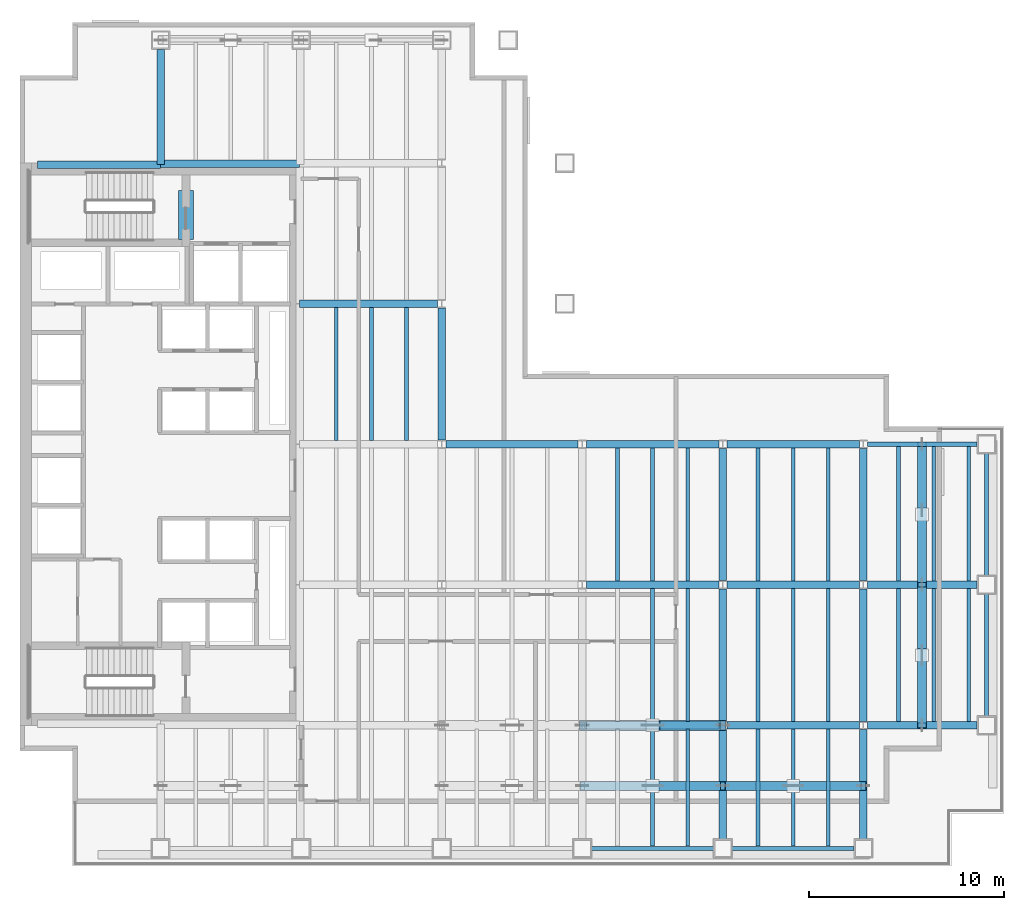
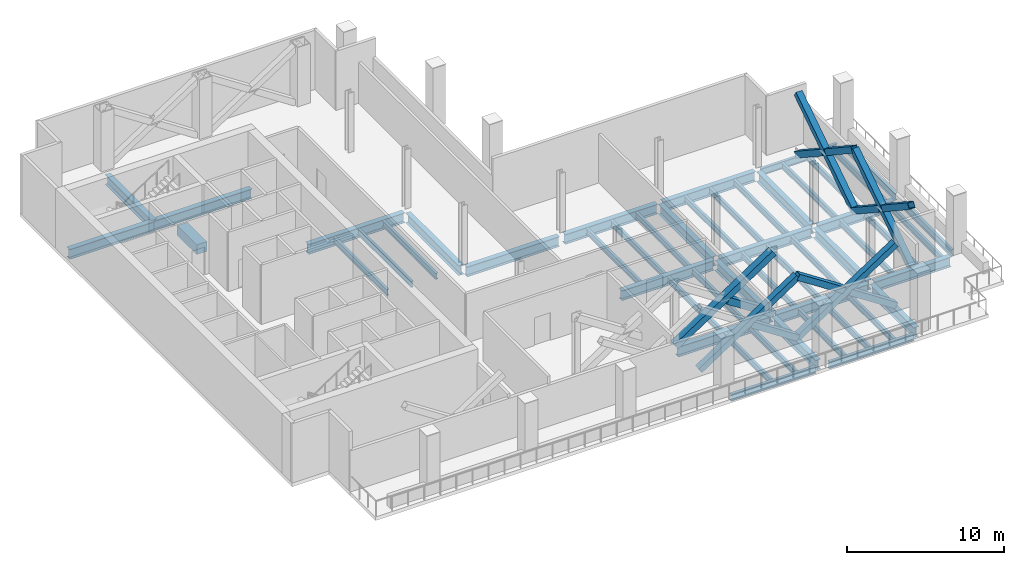
# One storey, part 2 of 9: 51 beams, 13 members.
"""IFC4 building model written with IfcOpenShell, lengths in metres."""

from ifc_helpers import new_model, si_unit, direction, frame, origin, origin_2d, place, context, subcontext, project, spatial, rectangle, hollow_rectangle, i_section, extrude, material, material_profile, profile_set, type_object, element, save


model = new_model("IFC4")

# Units and contexts
model_context = context("Model", 3, precision=1e-05, world=origin(), true_north=direction((0.0, 1.0)))
body_context = subcontext(model_context, "Body", "Model", "MODEL_VIEW")
ifc_project = project(units=[si_unit("LENGTHUNIT", "METRE"), si_unit("AREAUNIT", "SQUARE_METRE"), si_unit("VOLUMEUNIT", "CUBIC_METRE"), si_unit("PLANEANGLEUNIT", "RADIAN"), si_unit("MASSUNIT", "GRAM", prefix="KILO")], contexts=[model_context])

# Site, building, storey
site_placement = place(None, origin())
site = spatial("IfcSite", under=ifc_project, at=site_placement, CompositionType="ELEMENT")
building_placement = place(site_placement, origin())
building = spatial("IfcBuilding", under=site, at=building_placement, Name="Cobrela Telecom Tower", CompositionType="ELEMENT")
storey_placement = place(building_placement, frame((0.0, 0.0, 92.75)))
storey = spatial("IfcBuildingStorey", under=building, at=storey_placement, Name="L23", CompositionType="ELEMENT", Elevation=92.75)

# Beams
ifc_material_1 = material(Name="Concrete C40/50", Category="concrete")
ifc_material_profile_1 = material_profile(ifc_material_1, rectangle(XDim=0.75, YDim=0.75, at=origin_2d()), Name="RC 750x750")
ifc_profile_set_1 = profile_set([ifc_material_profile_1], Name="Concrete C40/50")
beam_type_1 = type_object("IfcBeamType", Name="BM-COUP-RC", PredefinedType="LINTEL", material=ifc_profile_set_1)
beam_1_placement = place(storey_placement, frame((8.5, 32.10009765625, -0.6298828125), z_axis=(0.0, 1.0, 0.0), x_axis=(-1.0, 0.0, 0.0)))
element("IfcBeam", 1, at=beam_1_placement, inside=storey, type_object=beam_type_1, Name="L23 Core Coupling Lintel Beam", PredefinedType="LINTEL", context=body_context, shape_type="SweptSolid", body=[
    extrude(rectangle(XDim=0.75, YDim=0.75, at=origin_2d()), origin(), (0.0, 0.0, 1.0), 2.5),
])
ifc_material_2 = material(Name="Steel ASTM A992 Grade 50", Category="steel")
ifc_material_profile_2 = material_profile(ifc_material_2, i_section(OverallWidth=0.381103515625, OverallDepth=0.77197265625, WebThickness=0.0166015625, FlangeThickness=0.027099609375, FilletRadius=0.01904296875, at=origin_2d()), Name="W30X173")
ifc_profile_set_2 = profile_set([ifc_material_profile_2], Name="Steel ASTM A992 Grade 50")
beam_type_2 = type_object("IfcBeamType", Name="BM-GIRD-04", PredefinedType="USERDEFINED", material=ifc_profile_set_2)
for number, where, z_axis, x_axis, name in (
    (2, (29.009521484375, 7.199951171875, -0.666015625), (1.0, 0.0, 0.0), (0.0, 1.0, 0.0), "L23 Primary Girder X10"),
    (3, (36.20947265625, 7.199951171875, -0.666015625), (1.0, 0.0, 0.0), (0.0, 1.0, 0.0), "L23 Primary Girder X11"),
):
    element("IfcBeam", number, at=place(storey_placement, frame(where, z_axis=z_axis, x_axis=x_axis)), inside=storey, type_object=beam_type_2, Name=name, ObjectType="GIRDER", PredefinedType="USERDEFINED", context=body_context, shape_type="SweptSolid", body=[
        extrude(i_section(OverallWidth=0.381103515625, OverallDepth=0.77197265625, WebThickness=0.0166015625, FlangeThickness=0.027099609375, FilletRadius=0.01904296875, at=origin_2d()), origin(), (0.0, 0.0, 1.0), 6.781005859375),
    ])
beam_2_placement = place(storey_placement, frame((43.409423828125, 7.199951171875, -0.666015625), z_axis=(1.0, 0.0, 0.0), x_axis=(0.0, 1.0, 0.0)))
element("IfcBeam", 4, at=beam_2_placement, inside=storey, type_object=beam_type_2, Name="L23 Primary Girder X12", ObjectType="GIRDER", PredefinedType="USERDEFINED", context=body_context, shape_type="SweptSolid", body=[
    extrude(i_section(OverallWidth=0.381103515625, OverallDepth=0.77197265625, WebThickness=0.0166015625, FlangeThickness=0.027099609375, FilletRadius=0.01904296875, at=origin_2d()), origin(), (0.0, 0.0, 1.0), 5.610595703125),
])
for number, where, z_axis, x_axis, name in (
    (5, (29.009521484375, 14.39990234375, -0.666015625), (1.0, 0.0, 0.0), (0.0, 1.0, 0.0), "L23 Primary Girder X15"),
    (6, (36.20947265625, 14.39990234375, -0.666015625), (1.0, 0.0, 0.0), (0.0, 1.0, 0.0), "L23 Primary Girder X16"),
):
    element("IfcBeam", number, at=place(storey_placement, frame(where, z_axis=z_axis, x_axis=x_axis)), inside=storey, type_object=beam_type_2, Name=name, ObjectType="GIRDER", PredefinedType="USERDEFINED", context=body_context, shape_type="SweptSolid", body=[
        extrude(i_section(OverallWidth=0.381103515625, OverallDepth=0.77197265625, WebThickness=0.0166015625, FlangeThickness=0.027099609375, FilletRadius=0.01904296875, at=origin_2d()), origin(), (0.0, 0.0, 1.0), 6.781005859375),
    ])
beam_3_placement = place(storey_placement, frame((43.409423828125, 14.39990234375, -0.666015625), z_axis=(1.0, 0.0, 0.0), x_axis=(0.0, 1.0, 0.0)))
element("IfcBeam", 7, at=beam_3_placement, inside=storey, type_object=beam_type_2, Name="L23 Primary Girder X17", ObjectType="GIRDER", PredefinedType="USERDEFINED", context=body_context, shape_type="SweptSolid", body=[
    extrude(i_section(OverallWidth=0.381103515625, OverallDepth=0.77197265625, WebThickness=0.0166015625, FlangeThickness=0.027099609375, FilletRadius=0.01904296875, at=origin_2d()), origin(), (0.0, 0.0, 1.0), 5.610595703125),
])
for number, where, z_axis, x_axis, name in (
    (8, (21.8095703125, 21.60009765625, -0.666015625), (1.0, 0.0, 0.0), (0.0, 1.0, 0.0), "L23 Primary Girder X19"),
    (9, (29.009521484375, 21.60009765625, -0.666015625), (1.0, 0.0, 0.0), (0.0, 1.0, 0.0), "L23 Primary Girder X20"),
    (10, (36.20947265625, 21.60009765625, -0.666015625), (1.0, 0.0, 0.0), (0.0, 1.0, 0.0), "L23 Primary Girder X21"),
):
    element("IfcBeam", number, at=place(storey_placement, frame(where, z_axis=z_axis, x_axis=x_axis)), inside=storey, type_object=beam_type_2, Name=name, ObjectType="GIRDER", PredefinedType="USERDEFINED", context=body_context, shape_type="SweptSolid", body=[
        extrude(i_section(OverallWidth=0.381103515625, OverallDepth=0.77197265625, WebThickness=0.0166015625, FlangeThickness=0.027099609375, FilletRadius=0.01904296875, at=origin_2d()), origin(), (0.0, 0.0, 1.0), 6.781005859375),
    ])
beam_4_placement = place(storey_placement, frame((14.324951171875, 28.800048828125, -0.666015625), z_axis=(1.0, 0.0, 0.0), x_axis=(0.0, 1.0, 0.0)))
element("IfcBeam", 11, at=beam_4_placement, inside=storey, type_object=beam_type_2, Name="L23 Primary Girder X23", ObjectType="GIRDER", PredefinedType="USERDEFINED", context=body_context, shape_type="SweptSolid", body=[
    extrude(i_section(OverallWidth=0.381103515625, OverallDepth=0.77197265625, WebThickness=0.0166015625, FlangeThickness=0.027099609375, FilletRadius=0.01904296875, at=origin_2d()), origin(), (0.0, 0.0, 1.0), 7.0654296875),
])
beam_5_placement = place(storey_placement, frame((0.905029296875, 35.919921875, -0.666015625), z_axis=(1.0, 0.0, 0.0), x_axis=(0.0, 1.0, 0.0)))
element("IfcBeam", 12, at=beam_5_placement, inside=storey, type_object=beam_type_2, Name="L23 Primary Girder X24", ObjectType="GIRDER", PredefinedType="USERDEFINED", context=body_context, shape_type="SweptSolid", body=[
    extrude(i_section(OverallWidth=0.381103515625, OverallDepth=0.77197265625, WebThickness=0.0166015625, FlangeThickness=0.027099609375, FilletRadius=0.01904296875, at=origin_2d()), origin(), (0.0, 0.0, 1.0), 6.2900390625),
])
beam_6_placement = place(storey_placement, frame((7.205078125, 35.9599609375, -0.666015625), z_axis=(1.0, 0.0, 0.0), x_axis=(0.0, 1.0, 0.0)))
element("IfcBeam", 13, at=beam_6_placement, inside=storey, type_object=beam_type_2, Name="L23 Primary Girder X25", ObjectType="GIRDER", PredefinedType="USERDEFINED", context=body_context, shape_type="SweptSolid", body=[
    extrude(i_section(OverallWidth=0.381103515625, OverallDepth=0.77197265625, WebThickness=0.0166015625, FlangeThickness=0.027099609375, FilletRadius=0.01904296875, at=origin_2d()), origin(), (0.0, 0.0, 1.0), 7.10986328125),
])
beam_7_placement = place(storey_placement, frame((7.199951171875, 35.925048828125, -0.666015625), z_axis=(0.0, 1.0, 0.0), x_axis=(-1.0, 0.0, 0.0)))
element("IfcBeam", 14, at=beam_7_placement, inside=storey, type_object=beam_type_2, Name="L23 Primary Girder Y30", ObjectType="GIRDER", PredefinedType="USERDEFINED", context=body_context, shape_type="SweptSolid", body=[
    extrude(i_section(OverallWidth=0.381103515625, OverallDepth=0.77197265625, WebThickness=0.0166015625, FlangeThickness=0.027099609375, FilletRadius=0.01904296875, at=origin_2d()), origin(), (0.0, 0.0, 1.0), 5.89501953125),
])
beam_8_placement = place(storey_placement, frame((21.60009765625, 21.8095703125, -0.666015625), z_axis=(0.0, 1.0, 0.0), x_axis=(-1.0, 0.0, 0.0)))
element("IfcBeam", 15, at=beam_8_placement, inside=storey, type_object=beam_type_2, Name="L23 Primary Girder Y40", ObjectType="GIRDER", PredefinedType="USERDEFINED", context=body_context, shape_type="SweptSolid", body=[
    extrude(i_section(OverallWidth=0.381103515625, OverallDepth=0.77197265625, WebThickness=0.0166015625, FlangeThickness=0.027099609375, FilletRadius=0.01904296875, at=origin_2d()), origin(), (0.0, 0.0, 1.0), 6.781005859375),
])
beam_9_placement = place(storey_placement, frame((36.0, 1.3798828125, -0.666015625), z_axis=(0.0, 1.0, 0.0), x_axis=(-1.0, 0.0, 0.0)))
element("IfcBeam", 16, at=beam_9_placement, inside=storey, type_object=beam_type_2, Name="L23 Primary Girder Y46", ObjectType="GIRDER", PredefinedType="USERDEFINED", context=body_context, shape_type="SweptSolid", body=[
    extrude(i_section(OverallWidth=0.381103515625, OverallDepth=0.77197265625, WebThickness=0.0166015625, FlangeThickness=0.027099609375, FilletRadius=0.01904296875, at=origin_2d()), origin(), (0.0, 0.0, 1.0), 5.610595703125),
])
beam_10_placement = place(storey_placement, frame((36.0, 7.409423828125, -0.666015625), z_axis=(0.0, 1.0, 0.0), x_axis=(-1.0, 0.0, 0.0)))
element("IfcBeam", 17, at=beam_10_placement, inside=storey, type_object=beam_type_2, Name="L23 Primary Girder Y47", ObjectType="GIRDER", PredefinedType="USERDEFINED", context=body_context, shape_type="SweptSolid", body=[
    extrude(i_section(OverallWidth=0.381103515625, OverallDepth=0.77197265625, WebThickness=0.0166015625, FlangeThickness=0.027099609375, FilletRadius=0.01904296875, at=origin_2d()), origin(), (0.0, 0.0, 1.0), 6.781005859375),
])
beam_11_placement = place(storey_placement, frame((36.0, 14.609619140625, -0.666015625), z_axis=(0.0, 1.0, 0.0), x_axis=(-1.0, 0.0, 0.0)))
element("IfcBeam", 18, at=beam_11_placement, inside=storey, type_object=beam_type_2, Name="L23 Primary Girder Y48", ObjectType="GIRDER", PredefinedType="USERDEFINED", context=body_context, shape_type="SweptSolid", body=[
    extrude(i_section(OverallWidth=0.381103515625, OverallDepth=0.77197265625, WebThickness=0.0166015625, FlangeThickness=0.027099609375, FilletRadius=0.01904296875, at=origin_2d()), origin(), (0.0, 0.0, 1.0), 6.78076171875),
])
beam_12_placement = place(storey_placement, frame((43.199951171875, 1.3798828125, -0.666015625), z_axis=(0.0, 1.0, 0.0), x_axis=(-1.0, 0.0, 0.0)))
element("IfcBeam", 19, at=beam_12_placement, inside=storey, type_object=beam_type_2, Name="L23 Primary Girder Y49", ObjectType="GIRDER", PredefinedType="USERDEFINED", context=body_context, shape_type="SweptSolid", body=[
    extrude(i_section(OverallWidth=0.381103515625, OverallDepth=0.77197265625, WebThickness=0.0166015625, FlangeThickness=0.027099609375, FilletRadius=0.01904296875, at=origin_2d()), origin(), (0.0, 0.0, 1.0), 5.610595703125),
])
beam_13_placement = place(storey_placement, frame((43.199951171875, 7.409423828125, -0.666015625), z_axis=(0.0, 1.0, 0.0), x_axis=(-1.0, 0.0, 0.0)))
element("IfcBeam", 20, at=beam_13_placement, inside=storey, type_object=beam_type_2, Name="L23 Primary Girder Y50", ObjectType="GIRDER", PredefinedType="USERDEFINED", context=body_context, shape_type="SweptSolid", body=[
    extrude(i_section(OverallWidth=0.381103515625, OverallDepth=0.77197265625, WebThickness=0.0166015625, FlangeThickness=0.027099609375, FilletRadius=0.01904296875, at=origin_2d()), origin(), (0.0, 0.0, 1.0), 6.781005859375),
])
beam_14_placement = place(storey_placement, frame((43.199951171875, 14.609619140625, -0.666015625), z_axis=(0.0, 1.0, 0.0), x_axis=(-1.0, 0.0, 0.0)))
element("IfcBeam", 21, at=beam_14_placement, inside=storey, type_object=beam_type_2, Name="L23 Primary Girder Y51", ObjectType="GIRDER", PredefinedType="USERDEFINED", context=body_context, shape_type="SweptSolid", body=[
    extrude(i_section(OverallWidth=0.381103515625, OverallDepth=0.77197265625, WebThickness=0.0166015625, FlangeThickness=0.027099609375, FilletRadius=0.01904296875, at=origin_2d()), origin(), (0.0, 0.0, 1.0), 6.78076171875),
])
ifc_material_profile_3 = material_profile(ifc_material_2, i_section(OverallWidth=0.193115234375, OverallDepth=0.467041015625, WebThickness=0.011474609375, FlangeThickness=0.01904296875, FilletRadius=0.012939453125, at=origin_2d()), Name="W18X65")
ifc_profile_set_3 = profile_set([ifc_material_profile_3], Name="Steel ASTM A992 Grade 50")
beam_type_3 = type_object("IfcBeamType", Name="BM-JOIST-03", PredefinedType="JOIST", material=ifc_profile_set_3)
for number, where, z_axis, x_axis, name in (
    (22, (16.199951171875, 21.79541015625, -0.513427734375), (0.0, 1.0, 0.0), (-1.0, 0.0, 0.0), "L23 Secondary Composite Floor Beam J10"),
    (23, (18.0, 21.79541015625, -0.513427734375), (0.0, 1.0, 0.0), (-1.0, 0.0, 0.0), "L23 Secondary Composite Floor Beam J16"),
    (24, (19.800048828125, 21.79541015625, -0.513427734375), (0.0, 1.0, 0.0), (-1.0, 0.0, 0.0), "L23 Secondary Composite Floor Beam J22"),
    (25, (30.60009765625, 14.595458984375, -0.513427734375), (0.0, 1.0, 0.0), (-1.0, 0.0, 0.0), "L23 Secondary Composite Floor Beam J36"),
):
    element("IfcBeam", number, at=place(storey_placement, frame(where, z_axis=z_axis, x_axis=x_axis)), inside=storey, type_object=beam_type_3, Name=name, PredefinedType="JOIST", context=body_context, shape_type="SweptSolid", body=[
        extrude(i_section(OverallWidth=0.193115234375, OverallDepth=0.467041015625, WebThickness=0.011474609375, FlangeThickness=0.01904296875, FilletRadius=0.012939453125, at=origin_2d()), origin(), (0.0, 0.0, 1.0), 6.80908203125),
    ])
beam_15_placement = place(storey_placement, frame((32.39990234375, 1.011474609375, -0.513427734375), z_axis=(0.0, 1.0, 0.0), x_axis=(-1.0, 0.0, 0.0)))
element("IfcBeam", 26, at=beam_15_placement, inside=storey, type_object=beam_type_3, Name="L23 Secondary Composite Floor Beam J37", PredefinedType="JOIST", context=body_context, shape_type="SweptSolid", body=[
    extrude(i_section(OverallWidth=0.193115234375, OverallDepth=0.467041015625, WebThickness=0.011474609375, FlangeThickness=0.01904296875, FilletRadius=0.012939453125, at=origin_2d()), origin(), (0.0, 0.0, 1.0), 5.992919921875),
])
for number, where, z_axis, x_axis, name in (
    (27, (32.39990234375, 7.3955078125, -0.513427734375), (0.0, 1.0, 0.0), (-1.0, 0.0, 0.0), "L23 Secondary Composite Floor Beam J38"),
    (28, (32.39990234375, 14.595458984375, -0.513427734375), (0.0, 1.0, 0.0), (-1.0, 0.0, 0.0), "L23 Secondary Composite Floor Beam J39"),
):
    element("IfcBeam", number, at=place(storey_placement, frame(where, z_axis=z_axis, x_axis=x_axis)), inside=storey, type_object=beam_type_3, Name=name, PredefinedType="JOIST", context=body_context, shape_type="SweptSolid", body=[
        extrude(i_section(OverallWidth=0.193115234375, OverallDepth=0.467041015625, WebThickness=0.011474609375, FlangeThickness=0.01904296875, FilletRadius=0.012939453125, at=origin_2d()), origin(), (0.0, 0.0, 1.0), 6.80908203125),
    ])
beam_16_placement = place(storey_placement, frame((34.199951171875, 1.011474609375, -0.513427734375), z_axis=(0.0, 1.0, 0.0), x_axis=(-1.0, 0.0, 0.0)))
element("IfcBeam", 29, at=beam_16_placement, inside=storey, type_object=beam_type_3, Name="L23 Secondary Composite Floor Beam J40", PredefinedType="JOIST", context=body_context, shape_type="SweptSolid", body=[
    extrude(i_section(OverallWidth=0.193115234375, OverallDepth=0.467041015625, WebThickness=0.011474609375, FlangeThickness=0.01904296875, FilletRadius=0.012939453125, at=origin_2d()), origin(), (0.0, 0.0, 1.0), 5.992919921875),
])
for number, where, z_axis, x_axis, name in (
    (30, (34.199951171875, 7.3955078125, -0.513427734375), (0.0, 1.0, 0.0), (-1.0, 0.0, 0.0), "L23 Secondary Composite Floor Beam J41"),
    (31, (34.199951171875, 14.595458984375, -0.513427734375), (0.0, 1.0, 0.0), (-1.0, 0.0, 0.0), "L23 Secondary Composite Floor Beam J42"),
):
    element("IfcBeam", number, at=place(storey_placement, frame(where, z_axis=z_axis, x_axis=x_axis)), inside=storey, type_object=beam_type_3, Name=name, PredefinedType="JOIST", context=body_context, shape_type="SweptSolid", body=[
        extrude(i_section(OverallWidth=0.193115234375, OverallDepth=0.467041015625, WebThickness=0.011474609375, FlangeThickness=0.01904296875, FilletRadius=0.012939453125, at=origin_2d()), origin(), (0.0, 0.0, 1.0), 6.80908203125),
    ])
beam_17_placement = place(storey_placement, frame((37.800048828125, 1.011474609375, -0.513427734375), z_axis=(0.0, 1.0, 0.0), x_axis=(-1.0, 0.0, 0.0)))
element("IfcBeam", 32, at=beam_17_placement, inside=storey, type_object=beam_type_3, Name="L23 Secondary Composite Floor Beam J43", PredefinedType="JOIST", context=body_context, shape_type="SweptSolid", body=[
    extrude(i_section(OverallWidth=0.193115234375, OverallDepth=0.467041015625, WebThickness=0.011474609375, FlangeThickness=0.01904296875, FilletRadius=0.012939453125, at=origin_2d()), origin(), (0.0, 0.0, 1.0), 5.992919921875),
])
for number, where, z_axis, x_axis, name in (
    (33, (37.800048828125, 7.3955078125, -0.513427734375), (0.0, 1.0, 0.0), (-1.0, 0.0, 0.0), "L23 Secondary Composite Floor Beam J44"),
    (34, (37.800048828125, 14.595458984375, -0.513427734375), (0.0, 1.0, 0.0), (-1.0, 0.0, 0.0), "L23 Secondary Composite Floor Beam J45"),
):
    element("IfcBeam", number, at=place(storey_placement, frame(where, z_axis=z_axis, x_axis=x_axis)), inside=storey, type_object=beam_type_3, Name=name, PredefinedType="JOIST", context=body_context, shape_type="SweptSolid", body=[
        extrude(i_section(OverallWidth=0.193115234375, OverallDepth=0.467041015625, WebThickness=0.011474609375, FlangeThickness=0.01904296875, FilletRadius=0.012939453125, at=origin_2d()), origin(), (0.0, 0.0, 1.0), 6.80908203125),
    ])
beam_18_placement = place(storey_placement, frame((39.60009765625, 1.011474609375, -0.513427734375), z_axis=(0.0, 1.0, 0.0), x_axis=(-1.0, 0.0, 0.0)))
element("IfcBeam", 35, at=beam_18_placement, inside=storey, type_object=beam_type_3, Name="L23 Secondary Composite Floor Beam J46", PredefinedType="JOIST", context=body_context, shape_type="SweptSolid", body=[
    extrude(i_section(OverallWidth=0.193115234375, OverallDepth=0.467041015625, WebThickness=0.011474609375, FlangeThickness=0.01904296875, FilletRadius=0.012939453125, at=origin_2d()), origin(), (0.0, 0.0, 1.0), 5.992919921875),
])
for number, where, z_axis, x_axis, name in (
    (36, (39.60009765625, 7.3955078125, -0.513427734375), (0.0, 1.0, 0.0), (-1.0, 0.0, 0.0), "L23 Secondary Composite Floor Beam J47"),
    (37, (39.60009765625, 14.595458984375, -0.513427734375), (0.0, 1.0, 0.0), (-1.0, 0.0, 0.0), "L23 Secondary Composite Floor Beam J48"),
):
    element("IfcBeam", number, at=place(storey_placement, frame(where, z_axis=z_axis, x_axis=x_axis)), inside=storey, type_object=beam_type_3, Name=name, PredefinedType="JOIST", context=body_context, shape_type="SweptSolid", body=[
        extrude(i_section(OverallWidth=0.193115234375, OverallDepth=0.467041015625, WebThickness=0.011474609375, FlangeThickness=0.01904296875, FilletRadius=0.012939453125, at=origin_2d()), origin(), (0.0, 0.0, 1.0), 6.80908203125),
    ])
beam_19_placement = place(storey_placement, frame((41.39990234375, 1.011474609375, -0.513427734375), z_axis=(0.0, 1.0, 0.0), x_axis=(-1.0, 0.0, 0.0)))
element("IfcBeam", 38, at=beam_19_placement, inside=storey, type_object=beam_type_3, Name="L23 Secondary Composite Floor Beam J49", PredefinedType="JOIST", context=body_context, shape_type="SweptSolid", body=[
    extrude(i_section(OverallWidth=0.193115234375, OverallDepth=0.467041015625, WebThickness=0.011474609375, FlangeThickness=0.01904296875, FilletRadius=0.012939453125, at=origin_2d()), origin(), (0.0, 0.0, 1.0), 5.992919921875),
])
for number, where, z_axis, x_axis, name in (
    (39, (41.39990234375, 7.3955078125, -0.513427734375), (0.0, 1.0, 0.0), (-1.0, 0.0, 0.0), "L23 Secondary Composite Floor Beam J50"),
    (40, (41.39990234375, 14.595458984375, -0.513427734375), (0.0, 1.0, 0.0), (-1.0, 0.0, 0.0), "L23 Secondary Composite Floor Beam J51"),
    (41, (45.0, 7.3955078125, -0.513427734375), (0.0, 1.0, 0.0), (-1.0, 0.0, 0.0), "L23 Secondary Composite Floor Beam J52"),
):
    element("IfcBeam", number, at=place(storey_placement, frame(where, z_axis=z_axis, x_axis=x_axis)), inside=storey, type_object=beam_type_3, Name=name, PredefinedType="JOIST", context=body_context, shape_type="SweptSolid", body=[
        extrude(i_section(OverallWidth=0.193115234375, OverallDepth=0.467041015625, WebThickness=0.011474609375, FlangeThickness=0.01904296875, FilletRadius=0.012939453125, at=origin_2d()), origin(), (0.0, 0.0, 1.0), 6.80908203125),
    ])
beam_20_placement = place(storey_placement, frame((45.0, 14.595458984375, -0.513427734375), z_axis=(0.0, 1.0, 0.0), x_axis=(-1.0, 0.0, 0.0)))
element("IfcBeam", 42, at=beam_20_placement, inside=storey, type_object=beam_type_3, Name="L23 Secondary Composite Floor Beam J53", PredefinedType="JOIST", context=body_context, shape_type="SweptSolid", body=[
    extrude(i_section(OverallWidth=0.193115234375, OverallDepth=0.467041015625, WebThickness=0.011474609375, FlangeThickness=0.01904296875, FilletRadius=0.012939453125, at=origin_2d()), origin(), (0.0, 0.0, 1.0), 6.89306640625),
])
beam_21_placement = place(storey_placement, frame((46.800048828125, 7.3955078125, -0.513427734375), z_axis=(0.0, 1.0, 0.0), x_axis=(-1.0, 0.0, 0.0)))
element("IfcBeam", 43, at=beam_21_placement, inside=storey, type_object=beam_type_3, Name="L23 Secondary Composite Floor Beam J54", PredefinedType="JOIST", context=body_context, shape_type="SweptSolid", body=[
    extrude(i_section(OverallWidth=0.193115234375, OverallDepth=0.467041015625, WebThickness=0.011474609375, FlangeThickness=0.01904296875, FilletRadius=0.012939453125, at=origin_2d()), origin(), (0.0, 0.0, 1.0), 6.80908203125),
])
beam_22_placement = place(storey_placement, frame((46.800048828125, 14.595458984375, -0.513427734375), z_axis=(0.0, 1.0, 0.0), x_axis=(-1.0, 0.0, 0.0)))
element("IfcBeam", 44, at=beam_22_placement, inside=storey, type_object=beam_type_3, Name="L23 Secondary Composite Floor Beam J55", PredefinedType="JOIST", context=body_context, shape_type="SweptSolid", body=[
    extrude(i_section(OverallWidth=0.193115234375, OverallDepth=0.467041015625, WebThickness=0.011474609375, FlangeThickness=0.01904296875, FilletRadius=0.012939453125, at=origin_2d()), origin(), (0.0, 0.0, 1.0), 6.89306640625),
])
beam_23_placement = place(storey_placement, frame((48.60009765625, 7.3955078125, -0.513427734375), z_axis=(0.0, 1.0, 0.0), x_axis=(-1.0, 0.0, 0.0)))
element("IfcBeam", 45, at=beam_23_placement, inside=storey, type_object=beam_type_3, Name="L23 Secondary Composite Floor Beam J56", PredefinedType="JOIST", context=body_context, shape_type="SweptSolid", body=[
    extrude(i_section(OverallWidth=0.193115234375, OverallDepth=0.467041015625, WebThickness=0.011474609375, FlangeThickness=0.01904296875, FilletRadius=0.012939453125, at=origin_2d()), origin(), (0.0, 0.0, 1.0), 6.80908203125),
])
beam_24_placement = place(storey_placement, frame((48.60009765625, 14.595458984375, -0.513427734375), z_axis=(0.0, 1.0, 0.0), x_axis=(-1.0, 0.0, 0.0)))
element("IfcBeam", 46, at=beam_24_placement, inside=storey, type_object=beam_type_3, Name="L23 Secondary Composite Floor Beam J57", PredefinedType="JOIST", context=body_context, shape_type="SweptSolid", body=[
    extrude(i_section(OverallWidth=0.193115234375, OverallDepth=0.467041015625, WebThickness=0.011474609375, FlangeThickness=0.01904296875, FilletRadius=0.012939453125, at=origin_2d()), origin(), (0.0, 0.0, 1.0), 6.89306640625),
])
ifc_material_profile_4 = material_profile(ifc_material_2, i_section(OverallWidth=0.212890625, OverallDepth=0.549072265625, WebThickness=0.0146484375, FlangeThickness=0.023681640625, FilletRadius=0.013916015625, at=origin_2d()), Name="W21X93")
ifc_profile_set_4 = profile_set([ifc_material_profile_4], Name="Steel ASTM A992 Grade 50")
beam_type_4 = type_object("IfcBeamType", Name="BM-SPAND-03", PredefinedType="SPANDREL", material=ifc_profile_set_4)
for number, where, z_axis, x_axis, name in (
    (47, (29.280029296875, 0.89990234375, -0.554443359375), (1.0, 0.0, 0.0), (0.0, 1.0, 0.0), "L23 Perimeter Spandrel X04"),
    (48, (36.47998046875, 0.89990234375, -0.554443359375), (1.0, 0.0, 0.0), (0.0, 1.0, 0.0), "L23 Perimeter Spandrel X05"),
):
    element("IfcBeam", number, at=place(storey_placement, frame(where, z_axis=z_axis, x_axis=x_axis)), inside=storey, type_object=beam_type_4, Name=name, PredefinedType="SPANDREL", context=body_context, shape_type="SweptSolid", body=[
        extrude(i_section(OverallWidth=0.212890625, OverallDepth=0.549072265625, WebThickness=0.0146484375, FlangeThickness=0.023681640625, FilletRadius=0.013916015625, at=origin_2d()), origin(), (0.0, 0.0, 1.0), 6.239990234375),
    ])
beam_25_placement = place(storey_placement, frame((43.409423828125, 21.60009765625, -0.554443359375), z_axis=(1.0, 0.0, 0.0), x_axis=(0.0, 1.0, 0.0)))
element("IfcBeam", 49, at=beam_25_placement, inside=storey, type_object=beam_type_4, Name="L23 Perimeter Spandrel X22", PredefinedType="SPANDREL", context=body_context, shape_type="SweptSolid", body=[
    extrude(i_section(OverallWidth=0.212890625, OverallDepth=0.549072265625, WebThickness=0.0146484375, FlangeThickness=0.023681640625, FilletRadius=0.013916015625, at=origin_2d()), origin(), (0.0, 0.0, 1.0), 5.610595703125),
])
beam_26_placement = place(storey_placement, frame((49.5, 7.679931640625, -0.554443359375), z_axis=(0.0, 1.0, 0.0), x_axis=(-1.0, 0.0, 0.0)))
element("IfcBeam", 50, at=beam_26_placement, inside=storey, type_object=beam_type_4, Name="L23 Perimeter Spandrel Y52", PredefinedType="SPANDREL", context=body_context, shape_type="SweptSolid", body=[
    extrude(i_section(OverallWidth=0.212890625, OverallDepth=0.549072265625, WebThickness=0.0146484375, FlangeThickness=0.023681640625, FilletRadius=0.013916015625, at=origin_2d()), origin(), (0.0, 0.0, 1.0), 6.239990234375),
])
beam_27_placement = place(storey_placement, frame((49.5, 14.8798828125, -0.554443359375), z_axis=(0.0, 1.0, 0.0), x_axis=(-1.0, 0.0, 0.0)))
element("IfcBeam", 51, at=beam_27_placement, inside=storey, type_object=beam_type_4, Name="L23 Perimeter Spandrel Y53", PredefinedType="SPANDREL", context=body_context, shape_type="SweptSolid", body=[
    extrude(i_section(OverallWidth=0.212890625, OverallDepth=0.549072265625, WebThickness=0.0146484375, FlangeThickness=0.023681640625, FilletRadius=0.013916015625, at=origin_2d()), origin(), (0.0, 0.0, 1.0), 6.240234375),
])

# Members
ifc_material_3 = material(Name="Steel ASTM A572 Grade 50", Category="steel")
ifc_material_profile_5 = material_profile(ifc_material_3, hollow_rectangle(XDim=0.449951171875, YDim=0.449951171875, WallThickness=0.02197265625, at=origin_2d()), Name="HSS 450x450x22")
ifc_profile_set_5 = profile_set([ifc_material_profile_5], Name="Steel ASTM A572 Grade 50")
member_type_1 = type_object("IfcMemberType", Name="MBR-BELT", PredefinedType="BRACE", material=ifc_profile_set_5)
member_1_placement = place(storey_placement, frame((28.800048828125, 4.10009765625, -0.139892578125), z_axis=(0.835247643706, 0.0, 0.549873961634), x_axis=(0.0, 1.0, 0.0)))
element("IfcMember", 52, at=member_1_placement, inside=storey, type_object=member_type_1, Name="L23 South Perimeter Belt Truss Brace 05 Continuous A", PredefinedType="BRACE", context=body_context, shape_type="SweptSolid", body=[
    extrude(hollow_rectangle(XDim=0.449951171875, YDim=0.449951171875, WallThickness=0.02197265625, at=origin_2d()), origin(), (0.0, 0.0, 1.0), 8.6201171875),
])
member_2_placement = place(storey_placement, frame((36.0, 4.10009765625, -0.139892578125), z_axis=(-0.835266566476, 0.0, 0.549845217246), x_axis=(0.0, -1.0, 0.0)))
element("IfcMember", 53, at=member_2_placement, inside=storey, type_object=member_type_1, Name="L23 South Perimeter Belt Truss Brace 05 Split B1", PredefinedType="BRACE", context=body_context, shape_type="SweptSolid", body=[
    extrude(hollow_rectangle(XDim=0.449951171875, YDim=0.449951171875, WallThickness=0.02197265625, at=origin_2d()), origin(), (0.0, 0.0, 1.0), 4.057861328125),
])
member_3_placement = place(storey_placement, frame((36.0, 4.10009765625, -0.139892578125), z_axis=(0.835247643706, 0.0, 0.549873961634), x_axis=(0.0, 1.0, 0.0)))
element("IfcMember", 54, at=member_3_placement, inside=storey, type_object=member_type_1, Name="L23 South Perimeter Belt Truss Brace 06 Continuous A", PredefinedType="BRACE", context=body_context, shape_type="SweptSolid", body=[
    extrude(hollow_rectangle(XDim=0.449951171875, YDim=0.449951171875, WallThickness=0.02197265625, at=origin_2d()), origin(), (0.0, 0.0, 1.0), 8.6201171875),
])
member_4_placement = place(storey_placement, frame((43.199951171875, 4.10009765625, -0.139892578125), z_axis=(-0.835266566476, 0.0, 0.549845217246), x_axis=(0.0, -1.0, 0.0)))
element("IfcMember", 55, at=member_4_placement, inside=storey, type_object=member_type_1, Name="L23 South Perimeter Belt Truss Brace 06 Split B1", PredefinedType="BRACE", context=body_context, shape_type="SweptSolid", body=[
    extrude(hollow_rectangle(XDim=0.449951171875, YDim=0.449951171875, WallThickness=0.02197265625, at=origin_2d()), origin(), (0.0, 0.0, 1.0), 4.057861328125),
])
member_5_placement = place(storey_placement, frame((39.389404296875, 4.10009765625, 2.36865234375), z_axis=(-0.835238934653, 0.0, 0.549887190285), x_axis=(0.0, -1.0, 0.0)))
element("IfcMember", 56, at=member_5_placement, inside=storey, type_object=member_type_1, Name="L23 South Perimeter Belt Truss Brace 06 Split B2", PredefinedType="BRACE", context=body_context, shape_type="SweptSolid", body=[
    extrude(hollow_rectangle(XDim=0.449951171875, YDim=0.449951171875, WallThickness=0.02197265625, at=origin_2d()), origin(), (0.0, 0.0, 1.0), 4.05810546875),
])
member_6_placement = place(storey_placement, frame((46.199951171875, 7.199951171875, -0.139892578125), z_axis=(0.0, 0.835247643706, 0.549873961634), x_axis=(-1.0, 0.0, 0.0)))
element("IfcMember", 57, at=member_6_placement, inside=storey, type_object=member_type_1, Name="L23 East Perimeter Belt Truss Brace 09 Continuous A", PredefinedType="BRACE", context=body_context, shape_type="SweptSolid", body=[
    extrude(hollow_rectangle(XDim=0.449951171875, YDim=0.449951171875, WallThickness=0.02197265625, at=origin_2d()), origin(), (0.0, 0.0, 1.0), 8.6201171875),
])
member_7_placement = place(storey_placement, frame((46.199951171875, 14.39990234375, -0.139892578125), z_axis=(0.0, -0.835266566476, 0.549845217246), x_axis=(1.0, 0.0, 0.0)))
element("IfcMember", 58, at=member_7_placement, inside=storey, type_object=member_type_1, Name="L23 East Perimeter Belt Truss Brace 09 Split B1", PredefinedType="BRACE", context=body_context, shape_type="SweptSolid", body=[
    extrude(hollow_rectangle(XDim=0.449951171875, YDim=0.449951171875, WallThickness=0.02197265625, at=origin_2d()), origin(), (0.0, 0.0, 1.0), 4.057861328125),
])
member_8_placement = place(storey_placement, frame((46.199951171875, 10.589599609375, 2.36865234375), z_axis=(0.0, -0.835257125037, 0.54985955941), x_axis=(1.0, 0.0, 0.0)))
element("IfcMember", 59, at=member_8_placement, inside=storey, type_object=member_type_1, Name="L23 East Perimeter Belt Truss Brace 09 Split B2", PredefinedType="BRACE", context=body_context, shape_type="SweptSolid", body=[
    extrude(hollow_rectangle(XDim=0.449951171875, YDim=0.449951171875, WallThickness=0.02197265625, at=origin_2d()), origin(), (0.0, 0.0, 1.0), 4.05810546875),
])
member_9_placement = place(storey_placement, frame((46.199951171875, 14.39990234375, -0.139892578125), z_axis=(0.0, 0.835256206917, 0.549860954066), x_axis=(-1.0, 0.0, 0.0)))
element("IfcMember", 60, at=member_9_placement, inside=storey, type_object=member_type_1, Name="L23 East Perimeter Belt Truss Brace 10 Continuous A", PredefinedType="BRACE", context=body_context, shape_type="SweptSolid", body=[
    extrude(hollow_rectangle(XDim=0.449951171875, YDim=0.449951171875, WallThickness=0.02197265625, at=origin_2d()), origin(), (0.0, 0.0, 1.0), 8.620361328125),
])
for number, where, z_axis, x_axis, name in (
    (61, (46.199951171875, 21.60009765625, -0.139892578125), (0.0, -0.835284754685, 0.549817586651), (1.0, 0.0, 0.0), "L23 East Perimeter Belt Truss Brace 10 Split B1"),
    (62, (46.199951171875, 17.78955078125, 2.36865234375), (0.0, -0.835257125037, 0.54985955941), (1.0, 0.0, 0.0), "L23 East Perimeter Belt Truss Brace 10 Split B2"),
):
    element("IfcMember", number, at=place(storey_placement, frame(where, z_axis=z_axis, x_axis=x_axis)), inside=storey, type_object=member_type_1, Name=name, PredefinedType="BRACE", context=body_context, shape_type="SweptSolid", body=[
        extrude(hollow_rectangle(XDim=0.449951171875, YDim=0.449951171875, WallThickness=0.02197265625, at=origin_2d()), origin(), (0.0, 0.0, 1.0), 4.05810546875),
    ])
ifc_material_profile_6 = material_profile(ifc_material_3, hollow_rectangle(XDim=0.5, YDim=0.5, WallThickness=0.02490234375, at=origin_2d()), Name="HSS 500x500x25")
ifc_profile_set_6 = profile_set([ifc_material_profile_6], Name="Steel ASTM A572 Grade 50")
member_type_2 = type_object("IfcMemberType", Name="MBR-OUTRIGGER", PredefinedType="BRACE", material=ifc_profile_set_6)
member_10_placement = place(storey_placement, frame((28.800048828125, 7.199951171875, -0.139892578125), z_axis=(0.835247643706, 0.0, 0.549873961634), x_axis=(0.0, 1.0, 0.0)))
element("IfcMember", 63, at=member_10_placement, inside=storey, type_object=member_type_2, Name="L23 Outrigger Truss Brace 02 Continuous A", PredefinedType="BRACE", context=body_context, shape_type="SweptSolid", body=[
    extrude(hollow_rectangle(XDim=0.5, YDim=0.5, WallThickness=0.02490234375, at=origin_2d()), origin(), (0.0, 0.0, 1.0), 8.6201171875),
])
member_11_placement = place(storey_placement, frame((36.0, 7.199951171875, -0.139892578125), z_axis=(-0.835279440388, 0.0, 0.549825660064), x_axis=(0.0, -1.0, 0.0)))
element("IfcMember", 64, at=member_11_placement, inside=storey, type_object=member_type_2, Name="L23 Outrigger Truss Brace 02 Split B1", PredefinedType="BRACE", context=body_context, shape_type="SweptSolid", body=[
    extrude(hollow_rectangle(XDim=0.5, YDim=0.5, WallThickness=0.02490234375, at=origin_2d()), origin(), (0.0, 0.0, 1.0), 4.030029296875),
])

save(model, "model.ifc")
